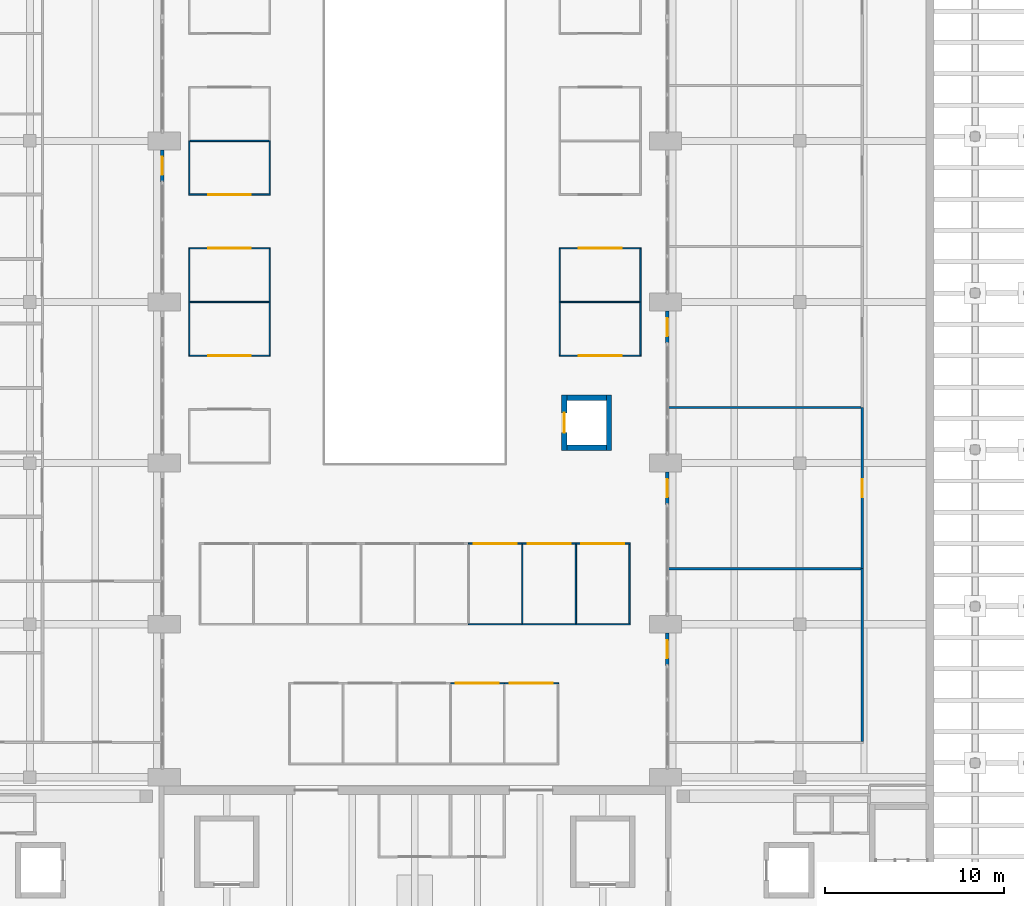
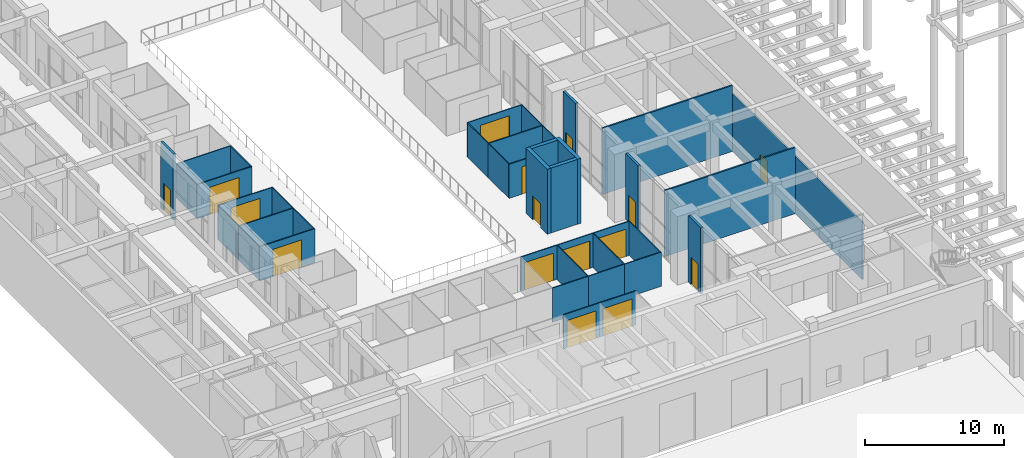
# One storey, part 32 of 51: 41 walls, 16 doors, 16 openings.
"""IFC4 building model written with IfcOpenShell, lengths in metres."""

from ifc_helpers import new_model, si_unit, direction, frame, frame_2d, origin, place, context, subcontext, project, spatial, rectangle, extrude, material, layer, layer_set, type_object, element, fill, save


model = new_model("IFC4")

# Units and contexts
model_context = context("Model", 3, precision=1e-05, world=origin(), true_north=direction((0.0, 1.0)))
body_context = subcontext(model_context, "Body", "Model", "MODEL_VIEW")
ifc_project = project(units=[si_unit("LENGTHUNIT", "METRE"), si_unit("AREAUNIT", "SQUARE_METRE"), si_unit("VOLUMEUNIT", "CUBIC_METRE"), si_unit("PLANEANGLEUNIT", "RADIAN"), si_unit("MASSUNIT", "GRAM", prefix="KILO")], contexts=[model_context])

# Site, building, storey
site_placement = place(None, origin())
site = spatial("IfcSite", under=ifc_project, at=site_placement, CompositionType="ELEMENT")
building_placement = place(site_placement, origin())
building = spatial("IfcBuilding", under=site, at=building_placement, Name="Elmora Arch Market Hall", CompositionType="ELEMENT")
storey_placement = place(building_placement, origin())
storey = spatial("IfcBuildingStorey", under=building, at=storey_placement, Name="L00", CompositionType="ELEMENT", Elevation=0.0)

# Wall, opening, door
ifc_material_1 = material(Name="Concrete C40/50", Category="concrete")
ifc_layer_1 = layer(ifc_material_1, 0.199951171875)
ifc_layer_set_1 = layer_set([ifc_layer_1], Name="Concrete C40/50")
wall_type_1 = type_object("IfcWallType", Name="Concrete shopfront pier 200", PredefinedType="PARTITIONING", material=ifc_layer_set_1)
wall_1_placement = place(storey_placement, frame((14.89990234375, 62.5, 0.0), z_axis=(0.0, 0.0, 1.0), x_axis=(0.0, -1.0, 0.0)))
wall_1 = element("IfcWall", 1, at=wall_1_placement, inside=storey, type_object=wall_type_1, Name="Shopfront pier W 4", PredefinedType="PARTITIONING", context=body_context, shape_type="SweptSolid", body=[
    extrude(rectangle(XDim=1.800048828125, YDim=0.199951171875, at=frame_2d((0.89990234375, 0.0))), origin(), (0.0, 0.0, 1.0), 5.800048828125),
])
opening_1_placement = place(wall_1_placement, frame((0.39990234375, 0.0, 0.0)))
opening_1 = element("IfcOpeningElement", 2, at=opening_1_placement, cuts=wall_1, Name="Opening SD-W04", PredefinedType="OPENING", context=body_context, shape_type="SweptSolid", body=[
    extrude(rectangle(XDim=1.0, YDim=2.39990234375, at=frame_2d((0.5, 1.199951171875))), frame((0.0, 0.10986328125, 0.0), z_axis=(0.0, -1.0, 0.0), x_axis=(1.0, 0.0, 0.0)), (0.0, 0.0, 1.0), 0.219970703125),
])
ifc_material_2 = material(Name="Glazed aluminium", Category="aluminium")
door_type_1 = type_object("IfcDoorType", Name="Shop door 1000x2400", OperationType="SINGLE_SWING_LEFT", PredefinedType="DOOR", material=ifc_material_2)
door_1_placement = place(opening_1_placement, frame((1.0, 0.0, 0.0), z_axis=(0.0, 0.0, 1.0), x_axis=(-1.0, 0.0, 0.0)))
door_1 = element("IfcDoor", 3, at=door_1_placement, inside=storey, type_object=door_type_1, Name="Shop door W04", OperationType="SINGLE_SWING_RIGHT", OverallHeight=2.39990234375, OverallWidth=1.0, PredefinedType="DOOR", context=body_context, shape_type="SweptSolid", body=[
    extrude(rectangle(XDim=1.0, YDim=2.39990234375, at=frame_2d((0.5, 1.199951171875))), frame((0.0, 0.02490234375, 0.0), z_axis=(0.0, -1.0, 0.0), x_axis=(1.0, 0.0, 0.0)), (0.0, 0.0, 1.0), 0.050048828125),
])
fill(opening_1, door_1)

wall_2_placement = place(storey_placement, frame((43.10009765625, 33.699951171875, 0.0), z_axis=(0.0, 0.0, 1.0), x_axis=(0.0, 1.0, 0.0)))
wall_2 = element("IfcWall", 4, at=wall_2_placement, inside=storey, type_object=wall_type_1, Name="Shopfront pier E 1", PredefinedType="PARTITIONING", context=body_context, shape_type="SweptSolid", body=[
    extrude(rectangle(XDim=1.800048828125, YDim=0.199951171875, at=frame_2d((0.89990234375, 0.0))), origin(), (0.0, 0.0, 1.0), 5.800048828125),
])
opening_2_placement = place(wall_2_placement, frame((0.39990234375, 0.0, 0.0)))
opening_2 = element("IfcOpeningElement", 5, at=opening_2_placement, cuts=wall_2, Name="Opening SD-E01", PredefinedType="OPENING", context=body_context, shape_type="SweptSolid", body=[
    extrude(rectangle(XDim=1.0, YDim=2.39990234375, at=frame_2d((0.5, 1.199951171875))), frame((0.0, 0.10986328125, 0.0), z_axis=(0.0, -1.0, 0.0), x_axis=(1.0, 0.0, 0.0)), (0.0, 0.0, 1.0), 0.219970703125),
])
door_2_placement = place(opening_2_placement, frame((1.0, 0.0, 0.0), z_axis=(0.0, 0.0, 1.0), x_axis=(-1.0, 0.0, 0.0)))
door_2 = element("IfcDoor", 6, at=door_2_placement, inside=storey, type_object=door_type_1, Name="Shop door E01", OperationType="SINGLE_SWING_LEFT", OverallHeight=2.39990234375, OverallWidth=1.0, PredefinedType="DOOR", context=body_context, shape_type="SweptSolid", body=[
    extrude(rectangle(XDim=1.0, YDim=2.39990234375, at=frame_2d((0.5, 1.199951171875))), frame((0.0, 0.02490234375, 0.0), z_axis=(0.0, -1.0, 0.0), x_axis=(1.0, 0.0, 0.0)), (0.0, 0.0, 1.0), 0.050048828125),
])
fill(opening_2, door_2)

wall_3_placement = place(storey_placement, frame((43.10009765625, 42.699951171875, 0.0), z_axis=(0.0, 0.0, 1.0), x_axis=(0.0, 1.0, 0.0)))
wall_3 = element("IfcWall", 7, at=wall_3_placement, inside=storey, type_object=wall_type_1, Name="Shopfront pier E 2", PredefinedType="PARTITIONING", context=body_context, shape_type="SweptSolid", body=[
    extrude(rectangle(XDim=1.800048828125, YDim=0.199951171875, at=frame_2d((0.89990234375, 0.0))), origin(), (0.0, 0.0, 1.0), 5.800048828125),
])
opening_3_placement = place(wall_3_placement, frame((0.39990234375, 0.0, 0.0)))
opening_3 = element("IfcOpeningElement", 8, at=opening_3_placement, cuts=wall_3, Name="Opening SD-E02", PredefinedType="OPENING", context=body_context, shape_type="SweptSolid", body=[
    extrude(rectangle(XDim=1.0, YDim=2.39990234375, at=frame_2d((0.5, 1.199951171875))), frame((0.0, 0.10986328125, 0.0), z_axis=(0.0, -1.0, 0.0), x_axis=(1.0, 0.0, 0.0)), (0.0, 0.0, 1.0), 0.219970703125),
])
door_3_placement = place(opening_3_placement, frame((1.0, 0.0, 0.0), z_axis=(0.0, 0.0, 1.0), x_axis=(-1.0, 0.0, 0.0)))
door_3 = element("IfcDoor", 9, at=door_3_placement, inside=storey, type_object=door_type_1, Name="Shop door E02", OperationType="SINGLE_SWING_LEFT", OverallHeight=2.39990234375, OverallWidth=1.0, PredefinedType="DOOR", context=body_context, shape_type="SweptSolid", body=[
    extrude(rectangle(XDim=1.0, YDim=2.39990234375, at=frame_2d((0.5, 1.199951171875))), frame((0.0, 0.02490234375, 0.0), z_axis=(0.0, -1.0, 0.0), x_axis=(1.0, 0.0, 0.0)), (0.0, 0.0, 1.0), 0.050048828125),
])
fill(opening_3, door_3)

wall_4_placement = place(storey_placement, frame((43.10009765625, 51.699951171875, 0.0), z_axis=(0.0, 0.0, 1.0), x_axis=(0.0, 1.0, 0.0)))
wall_4 = element("IfcWall", 10, at=wall_4_placement, inside=storey, type_object=wall_type_1, Name="Shopfront pier E 3", PredefinedType="PARTITIONING", context=body_context, shape_type="SweptSolid", body=[
    extrude(rectangle(XDim=1.800048828125, YDim=0.199951171875, at=frame_2d((0.89990234375, 0.0))), origin(), (0.0, 0.0, 1.0), 5.800048828125),
])
opening_4_placement = place(wall_4_placement, frame((0.39990234375, 0.0, 0.0)))
opening_4 = element("IfcOpeningElement", 11, at=opening_4_placement, cuts=wall_4, Name="Opening SD-E03", PredefinedType="OPENING", context=body_context, shape_type="SweptSolid", body=[
    extrude(rectangle(XDim=1.0, YDim=2.39990234375, at=frame_2d((0.5, 1.199951171875))), frame((0.0, 0.10986328125, 0.0), z_axis=(0.0, -1.0, 0.0), x_axis=(1.0, 0.0, 0.0)), (0.0, 0.0, 1.0), 0.219970703125),
])
door_4_placement = place(opening_4_placement, frame((1.0, 0.0, 0.0), z_axis=(0.0, 0.0, 1.0), x_axis=(-1.0, 0.0, 0.0)))
door_4 = element("IfcDoor", 12, at=door_4_placement, inside=storey, type_object=door_type_1, Name="Shop door E03", OperationType="SINGLE_SWING_LEFT", OverallHeight=2.39990234375, OverallWidth=1.0, PredefinedType="DOOR", context=body_context, shape_type="SweptSolid", body=[
    extrude(rectangle(XDim=1.0, YDim=2.39990234375, at=frame_2d((0.5, 1.199951171875))), frame((0.0, 0.02490234375, 0.0), z_axis=(0.0, -1.0, 0.0), x_axis=(1.0, 0.0, 0.0)), (0.0, 0.0, 1.0), 0.050048828125),
])
fill(opening_4, door_4)

ifc_material_3 = material(Name="Concrete C40/50", Category="concrete")
ifc_layer_2 = layer(ifc_material_3, 0.300048828125)
ifc_layer_set_2 = layer_set([ifc_layer_2], Name="Concrete C40/50")
wall_type_2 = type_object("IfcWallType", Name="Lift shaft wall 300", PredefinedType="SHEAR", material=ifc_layer_set_2)
wall_5_placement = place(storey_placement, frame((37.35009765625, 45.699951171875, 0.0), z_axis=(0.0, 0.0, 1.0), x_axis=(0.0, 1.0, 0.0)))
wall_5 = element("IfcWall", 13, at=wall_5_placement, inside=storey, type_object=wall_type_2, Name="Lift shaft wall ML1 W L00", PredefinedType="SHEAR", context=body_context, shape_type="SweptSolid", body=[
    extrude(rectangle(XDim=3.10009765625, YDim=0.300048828125, at=frame_2d((1.550048828125, 0.0))), origin(), (0.0, 0.0, 1.0), 5.699951171875),
])
opening_5_placement = place(wall_5_placement, frame((1.0, 0.0, 0.0)))
opening_5 = element("IfcOpeningElement", 14, at=opening_5_placement, cuts=wall_5, Name="Opening LD-ML1-L00", PredefinedType="OPENING", context=body_context, shape_type="SweptSolid", body=[
    extrude(rectangle(XDim=1.10009765625, YDim=2.10009765625, at=frame_2d((0.550048828125, 1.050048828125))), frame((0.0, 0.159912109375, 0.0), z_axis=(0.0, -1.0, 0.0), x_axis=(1.0, 0.0, 0.0)), (0.0, 0.0, 1.0), 0.320068359375),
])
ifc_material_4 = material(Name="Stainless steel ASTM A240 Type 304", Category="steel")
door_type_2 = type_object("IfcDoorType", Name="Lift landing door 1100 x 2100 FD90", OperationType="SLIDING_TO_LEFT", PredefinedType="DOOR", material=ifc_material_4)
door_5_placement = place(opening_5_placement, origin())
door_5 = element("IfcDoor", 15, at=door_5_placement, inside=storey, type_object=door_type_2, Name="Landing door ML1 L00", OperationType="SLIDING_TO_LEFT", OverallHeight=2.10009765625, OverallWidth=1.10009765625, PredefinedType="DOOR", context=body_context, shape_type="SweptSolid", body=[
    extrude(rectangle(XDim=1.10009765625, YDim=2.10009765625, at=frame_2d((0.550048828125, 1.050048828125))), frame((0.0, 0.02490234375, 0.0), z_axis=(0.0, -1.0, 0.0), x_axis=(1.0, 0.0, 0.0)), (0.0, 0.0, 1.0), 0.050048828125),
])
fill(opening_5, door_5)

# Walls
wall_6_placement = place(storey_placement, frame((39.85009765625, 45.699951171875, 0.0), z_axis=(0.0, 0.0, 1.0), x_axis=(0.0, 1.0, 0.0)))
element("IfcWall", 16, at=wall_6_placement, inside=storey, type_object=wall_type_2, Name="Lift shaft wall ML1 E L00", PredefinedType="SHEAR", context=body_context, shape_type="SweptSolid", body=[
    extrude(rectangle(XDim=3.10009765625, YDim=0.300048828125, at=frame_2d((1.550048828125, 0.0))), origin(), (0.0, 0.0, 1.0), 5.699951171875),
])
for number, where, z_axis, x_axis, name in (
    (17, (37.5, 45.85009765625, 0.0), (0.0, 0.0, 1.0), (1.0, 0.0, 0.0), "Lift shaft wall ML1 S L00"),
    (18, (37.5, 48.64990234375, 0.0), (0.0, 0.0, 1.0), (1.0, 0.0, 0.0), "Lift shaft wall ML1 N L00"),
):
    element("IfcWall", number, at=place(storey_placement, frame(where, z_axis=z_axis, x_axis=x_axis)), inside=storey, type_object=wall_type_2, Name=name, PredefinedType="SHEAR", context=body_context, shape_type="SweptSolid", body=[
        extrude(rectangle(XDim=2.199951171875, YDim=0.300048828125, at=frame_2d((1.10009765625, 0.0))), origin(), (0.0, 0.0, 1.0), 5.699951171875),
    ])
ifc_material_5 = material(Name="Gypsum board on metal studs")
ifc_layer_3 = layer(ifc_material_5, 0.125)
ifc_layer_set_3 = layer_set([ifc_layer_3], Name="Gypsum board on metal studs")
wall_type_3 = type_object("IfcWallType", Name="Partition 125 EI 60", PredefinedType="PARTITIONING", material=ifc_layer_set_3)
for number, where, z_axis, x_axis, name in (
    (19, (43.10009765625, 39.10009765625, 0.0), (0.0, 0.0, 1.0), (1.0, 0.0, 0.0), "Partition PT-L00-029"),
    (20, (43.10009765625, 48.10009765625, 0.0), (0.0, 0.0, 1.0), (1.0, 0.0, 0.0), "Partition PT-L00-043"),
):
    element("IfcWall", number, at=place(storey_placement, frame(where, z_axis=z_axis, x_axis=x_axis)), inside=storey, type_object=wall_type_3, Name=name, PredefinedType="PARTITIONING", context=body_context, shape_type="SweptSolid", body=[
        extrude(rectangle(XDim=10.83740234375, YDim=0.125, at=frame_2d((5.418701171875, 0.0))), origin(), (0.0, 0.0, 1.0), 5.800048828125),
    ])
wall_7_placement = place(storey_placement, frame((54.0, 29.46240234375, 0.0), z_axis=(0.0, 0.0, 1.0), x_axis=(0.0, 1.0, 0.0)))
element("IfcWall", 21, at=wall_7_placement, inside=storey, type_object=wall_type_3, Name="Partition PT-L00-235", PredefinedType="PARTITIONING", context=body_context, shape_type="SweptSolid", body=[
    extrude(rectangle(XDim=9.6376953125, YDim=0.125, at=frame_2d((4.81884765625, 0.0))), origin(), (0.0, 0.0, 1.0), 5.050048828125),
])

# Wall, opening, door
wall_8_placement = place(storey_placement, frame((54.0, 39.10009765625, 0.0), z_axis=(0.0, 0.0, 1.0), x_axis=(0.0, 1.0, 0.0)))
wall_8 = element("IfcWall", 22, at=wall_8_placement, inside=storey, type_object=wall_type_3, Name="Partition PT-L00-236", PredefinedType="PARTITIONING", context=body_context, shape_type="SweptSolid", body=[
    extrude(rectangle(XDim=9.0, YDim=0.125, at=frame_2d((4.5, 0.0))), origin(), (0.0, 0.0, 1.0), 5.050048828125),
])
opening_6_placement = place(wall_8_placement, frame((4.0, 0.0, 0.0)))
opening_6 = element("IfcOpeningElement", 23, at=opening_6_placement, cuts=wall_8, Name="Opening D-L00-029", PredefinedType="OPENING", context=body_context, shape_type="SweptSolid", body=[
    extrude(rectangle(XDim=1.0, YDim=2.10009765625, at=frame_2d((0.5, 1.050048828125))), frame((0.0, 0.072509765625, 0.0), z_axis=(0.0, -1.0, 0.0), x_axis=(1.0, 0.0, 0.0)), (0.0, 0.0, 1.0), 0.14501953125),
])
ifc_material_6 = material(Name="Steel ASTM A653 galvanised", Category="steel")
door_type_3 = type_object("IfcDoorType", Name="Door 1000 x 2100 FD45", OperationType="SINGLE_SWING_LEFT", PredefinedType="DOOR", material=ifc_material_6)
door_6_placement = place(opening_6_placement, origin())
door_6 = element("IfcDoor", 24, at=door_6_placement, inside=storey, type_object=door_type_3, Name="D-L00-029", OperationType="SINGLE_SWING_LEFT", OverallHeight=2.10009765625, OverallWidth=1.0, PredefinedType="DOOR", context=body_context, shape_type="SweptSolid", body=[
    extrude(rectangle(XDim=1.0, YDim=2.10009765625, at=frame_2d((0.5, 1.050048828125))), frame((0.0, 0.02490234375, 0.0), z_axis=(0.0, -1.0, 0.0), x_axis=(1.0, 0.0, 0.0)), (0.0, 0.0, 1.0), 0.050048828125),
])
fill(opening_6, door_6)

ifc_material_7 = material(Name="Gypsum board on metal studs")
ifc_layer_4 = layer(ifc_material_7, 0.074951171875)
ifc_layer_set_4 = layer_set([ifc_layer_4], Name="Gypsum board on metal studs")
wall_type_4 = type_object("IfcWallType", Name="Stall partition 75 (3.0 m)", PredefinedType="PARTITIONING", material=ifc_layer_set_4)
wall_9_placement = place(storey_placement, frame((31.0, 32.699951171875, 0.0), z_axis=(0.0, 0.0, 1.0), x_axis=(1.0, 0.0, 0.0)))
wall_9 = element("IfcWall", 25, at=wall_9_placement, inside=storey, type_object=wall_type_4, Name="Partition PT-L00-016", PredefinedType="PARTITIONING", context=body_context, shape_type="SweptSolid", body=[
    extrude(rectangle(XDim=3.0, YDim=0.074951171875, at=frame_2d((1.5, 0.0))), origin(), (0.0, 0.0, 1.0), 3.0),
])
opening_7_placement = place(wall_9_placement, frame((0.300048828125, 0.0, 0.0)))
opening_7 = element("IfcOpeningElement", 26, at=opening_7_placement, cuts=wall_9, Name="Opening D-L00-015", PredefinedType="OPENING", context=body_context, shape_type="SweptSolid", body=[
    extrude(rectangle(XDim=2.39990234375, YDim=2.39990234375, at=frame_2d((1.199951171875, 1.199951171875))), frame((0.0, 0.04736328125, 0.0), z_axis=(0.0, -1.0, 0.0), x_axis=(1.0, 0.0, 0.0)), (0.0, 0.0, 1.0), 0.094970703125),
])
ifc_material_8 = material(Name="Aluminium roller shutter", Category="aluminium")
door_type_4 = type_object("IfcDoorType", Name="Roller shutter 2400 x 2400", OperationType="ROLLINGUP", PredefinedType="DOOR", material=ifc_material_8)
door_7_placement = place(opening_7_placement, origin())
door_7 = element("IfcDoor", 27, at=door_7_placement, inside=storey, type_object=door_type_4, Name="D-L00-015", OperationType="ROLLINGUP", OverallHeight=2.39990234375, OverallWidth=2.39990234375, PredefinedType="DOOR", context=body_context, shape_type="SweptSolid", body=[
    extrude(rectangle(XDim=2.39990234375, YDim=2.39990234375, at=frame_2d((1.199951171875, 1.199951171875))), frame((0.0, 0.02490234375, 0.0), z_axis=(0.0, -1.0, 0.0), x_axis=(1.0, 0.0, 0.0)), (0.0, 0.0, 1.0), 0.050048828125),
])
fill(opening_7, door_7)

wall_10_placement = place(storey_placement, frame((34.0, 32.699951171875, 0.0), z_axis=(0.0, 0.0, 1.0), x_axis=(1.0, 0.0, 0.0)))
wall_10 = element("IfcWall", 28, at=wall_10_placement, inside=storey, type_object=wall_type_4, Name="Partition PT-L00-017", PredefinedType="PARTITIONING", context=body_context, shape_type="SweptSolid", body=[
    extrude(rectangle(XDim=3.03759765625, YDim=0.074951171875, at=frame_2d((1.518798828125, 0.0))), origin(), (0.0, 0.0, 1.0), 3.0),
])
opening_8_placement = place(wall_10_placement, frame((0.300048828125, 0.0, 0.0)))
opening_8 = element("IfcOpeningElement", 29, at=opening_8_placement, cuts=wall_10, Name="Opening D-L00-016", PredefinedType="OPENING", context=body_context, shape_type="SweptSolid", body=[
    extrude(rectangle(XDim=2.39990234375, YDim=2.39990234375, at=frame_2d((1.199951171875, 1.199951171875))), frame((0.0, 0.04736328125, 0.0), z_axis=(0.0, -1.0, 0.0), x_axis=(1.0, 0.0, 0.0)), (0.0, 0.0, 1.0), 0.094970703125),
])
door_8_placement = place(opening_8_placement, origin())
door_8 = element("IfcDoor", 30, at=door_8_placement, inside=storey, type_object=door_type_4, Name="D-L00-016", OperationType="ROLLINGUP", OverallHeight=2.39990234375, OverallWidth=2.39990234375, PredefinedType="DOOR", context=body_context, shape_type="SweptSolid", body=[
    extrude(rectangle(XDim=2.39990234375, YDim=2.39990234375, at=frame_2d((1.199951171875, 1.199951171875))), frame((0.0, 0.02490234375, 0.0), z_axis=(0.0, -1.0, 0.0), x_axis=(1.0, 0.0, 0.0)), (0.0, 0.0, 1.0), 0.050048828125),
])
fill(opening_8, door_8)

# Walls
for number, where, z_axis, x_axis, name in (
    (31, (32.0, 36.0, 0.0), (0.0, 0.0, 1.0), (1.0, 0.0, 0.0), "Partition PT-L00-024"),
    (32, (35.0, 36.0, 0.0), (0.0, 0.0, 1.0), (1.0, 0.0, 0.0), "Partition PT-L00-025"),
):
    element("IfcWall", number, at=place(storey_placement, frame(where, z_axis=z_axis, x_axis=x_axis)), inside=storey, type_object=wall_type_4, Name=name, PredefinedType="PARTITIONING", context=body_context, shape_type="SweptSolid", body=[
        extrude(rectangle(XDim=3.0, YDim=0.074951171875, at=frame_2d((1.5, 0.0))), origin(), (0.0, 0.0, 1.0), 3.0),
    ])
wall_11_placement = place(storey_placement, frame((38.0, 36.0, 0.0), z_axis=(0.0, 0.0, 1.0), x_axis=(1.0, 0.0, 0.0)))
element("IfcWall", 33, at=wall_11_placement, inside=storey, type_object=wall_type_4, Name="Partition PT-L00-026", PredefinedType="PARTITIONING", context=body_context, shape_type="SweptSolid", body=[
    extrude(rectangle(XDim=3.03759765625, YDim=0.074951171875, at=frame_2d((1.518798828125, 0.0))), origin(), (0.0, 0.0, 1.0), 3.0),
])

# Wall, opening, door
wall_12_placement = place(storey_placement, frame((32.0, 40.5, 0.0), z_axis=(0.0, 0.0, 1.0), x_axis=(1.0, 0.0, 0.0)))
wall_12 = element("IfcWall", 34, at=wall_12_placement, inside=storey, type_object=wall_type_4, Name="Partition PT-L00-035", PredefinedType="PARTITIONING", context=body_context, shape_type="SweptSolid", body=[
    extrude(rectangle(XDim=3.0, YDim=0.074951171875, at=frame_2d((1.5, 0.0))), origin(), (0.0, 0.0, 1.0), 3.0),
])
opening_9_placement = place(wall_12_placement, frame((0.300048828125, 0.0, 0.0)))
opening_9 = element("IfcOpeningElement", 35, at=opening_9_placement, cuts=wall_12, Name="Opening D-L00-026", PredefinedType="OPENING", context=body_context, shape_type="SweptSolid", body=[
    extrude(rectangle(XDim=2.39990234375, YDim=2.39990234375, at=frame_2d((1.199951171875, 1.199951171875))), frame((0.0, 0.04736328125, 0.0), z_axis=(0.0, -1.0, 0.0), x_axis=(1.0, 0.0, 0.0)), (0.0, 0.0, 1.0), 0.094970703125),
])
door_9_placement = place(opening_9_placement, origin())
door_9 = element("IfcDoor", 36, at=door_9_placement, inside=storey, type_object=door_type_4, Name="D-L00-026", OperationType="ROLLINGUP", OverallHeight=2.39990234375, OverallWidth=2.39990234375, PredefinedType="DOOR", context=body_context, shape_type="SweptSolid", body=[
    extrude(rectangle(XDim=2.39990234375, YDim=2.39990234375, at=frame_2d((1.199951171875, 1.199951171875))), frame((0.0, 0.02490234375, 0.0), z_axis=(0.0, -1.0, 0.0), x_axis=(1.0, 0.0, 0.0)), (0.0, 0.0, 1.0), 0.050048828125),
])
fill(opening_9, door_9)

wall_13_placement = place(storey_placement, frame((35.0, 40.5, 0.0), z_axis=(0.0, 0.0, 1.0), x_axis=(1.0, 0.0, 0.0)))
wall_13 = element("IfcWall", 37, at=wall_13_placement, inside=storey, type_object=wall_type_4, Name="Partition PT-L00-036", PredefinedType="PARTITIONING", context=body_context, shape_type="SweptSolid", body=[
    extrude(rectangle(XDim=3.0, YDim=0.074951171875, at=frame_2d((1.5, 0.0))), origin(), (0.0, 0.0, 1.0), 3.0),
])
opening_10_placement = place(wall_13_placement, frame((0.300048828125, 0.0, 0.0)))
opening_10 = element("IfcOpeningElement", 38, at=opening_10_placement, cuts=wall_13, Name="Opening D-L00-027", PredefinedType="OPENING", context=body_context, shape_type="SweptSolid", body=[
    extrude(rectangle(XDim=2.39990234375, YDim=2.39990234375, at=frame_2d((1.199951171875, 1.199951171875))), frame((0.0, 0.04736328125, 0.0), z_axis=(0.0, -1.0, 0.0), x_axis=(1.0, 0.0, 0.0)), (0.0, 0.0, 1.0), 0.094970703125),
])
door_10_placement = place(opening_10_placement, origin())
door_10 = element("IfcDoor", 39, at=door_10_placement, inside=storey, type_object=door_type_4, Name="D-L00-027", OperationType="ROLLINGUP", OverallHeight=2.39990234375, OverallWidth=2.39990234375, PredefinedType="DOOR", context=body_context, shape_type="SweptSolid", body=[
    extrude(rectangle(XDim=2.39990234375, YDim=2.39990234375, at=frame_2d((1.199951171875, 1.199951171875))), frame((0.0, 0.02490234375, 0.0), z_axis=(0.0, -1.0, 0.0), x_axis=(1.0, 0.0, 0.0)), (0.0, 0.0, 1.0), 0.050048828125),
])
fill(opening_10, door_10)

wall_14_placement = place(storey_placement, frame((38.0, 40.5, 0.0), z_axis=(0.0, 0.0, 1.0), x_axis=(1.0, 0.0, 0.0)))
wall_14 = element("IfcWall", 40, at=wall_14_placement, inside=storey, type_object=wall_type_4, Name="Partition PT-L00-037", PredefinedType="PARTITIONING", context=body_context, shape_type="SweptSolid", body=[
    extrude(rectangle(XDim=3.03759765625, YDim=0.074951171875, at=frame_2d((1.518798828125, 0.0))), origin(), (0.0, 0.0, 1.0), 3.0),
])
opening_11_placement = place(wall_14_placement, frame((0.300048828125, 0.0, 0.0)))
opening_11 = element("IfcOpeningElement", 41, at=opening_11_placement, cuts=wall_14, Name="Opening D-L00-028", PredefinedType="OPENING", context=body_context, shape_type="SweptSolid", body=[
    extrude(rectangle(XDim=2.39990234375, YDim=2.39990234375, at=frame_2d((1.199951171875, 1.199951171875))), frame((0.0, 0.04736328125, 0.0), z_axis=(0.0, -1.0, 0.0), x_axis=(1.0, 0.0, 0.0)), (0.0, 0.0, 1.0), 0.094970703125),
])
door_11_placement = place(opening_11_placement, origin())
door_11 = element("IfcDoor", 42, at=door_11_placement, inside=storey, type_object=door_type_4, Name="D-L00-028", OperationType="ROLLINGUP", OverallHeight=2.39990234375, OverallWidth=2.39990234375, PredefinedType="DOOR", context=body_context, shape_type="SweptSolid", body=[
    extrude(rectangle(XDim=2.39990234375, YDim=2.39990234375, at=frame_2d((1.199951171875, 1.199951171875))), frame((0.0, 0.02490234375, 0.0), z_axis=(0.0, -1.0, 0.0), x_axis=(1.0, 0.0, 0.0)), (0.0, 0.0, 1.0), 0.050048828125),
])
fill(opening_11, door_11)

wall_15_placement = place(storey_placement, frame((16.362548828125, 51.0, 0.0), z_axis=(0.0, 0.0, 1.0), x_axis=(1.0, 0.0, 0.0)))
wall_15 = element("IfcWall", 43, at=wall_15_placement, inside=storey, type_object=wall_type_4, Name="Partition PT-L00-045", PredefinedType="PARTITIONING", context=body_context, shape_type="SweptSolid", body=[
    extrude(rectangle(XDim=4.574951171875, YDim=0.074951171875, at=frame_2d((2.28759765625, 0.0))), origin(), (0.0, 0.0, 1.0), 3.0),
])
opening_12_placement = place(wall_15_placement, frame((1.08740234375, 0.0, 0.0)))
opening_12 = element("IfcOpeningElement", 44, at=opening_12_placement, cuts=wall_15, Name="Opening D-L00-037", PredefinedType="OPENING", context=body_context, shape_type="SweptSolid", body=[
    extrude(rectangle(XDim=2.39990234375, YDim=2.39990234375, at=frame_2d((1.199951171875, 1.199951171875))), frame((0.0, 0.04736328125, 0.0), z_axis=(0.0, -1.0, 0.0), x_axis=(1.0, 0.0, 0.0)), (0.0, 0.0, 1.0), 0.094970703125),
])
door_12_placement = place(opening_12_placement, origin())
door_12 = element("IfcDoor", 45, at=door_12_placement, inside=storey, type_object=door_type_4, Name="D-L00-037", OperationType="ROLLINGUP", OverallHeight=2.39990234375, OverallWidth=2.39990234375, PredefinedType="DOOR", context=body_context, shape_type="SweptSolid", body=[
    extrude(rectangle(XDim=2.39990234375, YDim=2.39990234375, at=frame_2d((1.199951171875, 1.199951171875))), frame((0.0, 0.02490234375, 0.0), z_axis=(0.0, -1.0, 0.0), x_axis=(1.0, 0.0, 0.0)), (0.0, 0.0, 1.0), 0.050048828125),
])
fill(opening_12, door_12)

wall_16_placement = place(storey_placement, frame((37.0625, 51.0, 0.0), z_axis=(0.0, 0.0, 1.0), x_axis=(1.0, 0.0, 0.0)))
wall_16 = element("IfcWall", 46, at=wall_16_placement, inside=storey, type_object=wall_type_4, Name="Partition PT-L00-046", PredefinedType="PARTITIONING", context=body_context, shape_type="SweptSolid", body=[
    extrude(rectangle(XDim=4.574951171875, YDim=0.074951171875, at=frame_2d((2.28759765625, 0.0))), origin(), (0.0, 0.0, 1.0), 3.0),
])
opening_13_placement = place(wall_16_placement, frame((1.08740234375, 0.0, 0.0)))
opening_13 = element("IfcOpeningElement", 47, at=opening_13_placement, cuts=wall_16, Name="Opening D-L00-038", PredefinedType="OPENING", context=body_context, shape_type="SweptSolid", body=[
    extrude(rectangle(XDim=2.39990234375, YDim=2.39990234375, at=frame_2d((1.199951171875, 1.199951171875))), frame((0.0, 0.04736328125, 0.0), z_axis=(0.0, -1.0, 0.0), x_axis=(1.0, 0.0, 0.0)), (0.0, 0.0, 1.0), 0.094970703125),
])
door_13_placement = place(opening_13_placement, origin())
door_13 = element("IfcDoor", 48, at=door_13_placement, inside=storey, type_object=door_type_4, Name="D-L00-038", OperationType="ROLLINGUP", OverallHeight=2.39990234375, OverallWidth=2.39990234375, PredefinedType="DOOR", context=body_context, shape_type="SweptSolid", body=[
    extrude(rectangle(XDim=2.39990234375, YDim=2.39990234375, at=frame_2d((1.199951171875, 1.199951171875))), frame((0.0, 0.02490234375, 0.0), z_axis=(0.0, -1.0, 0.0), x_axis=(1.0, 0.0, 0.0)), (0.0, 0.0, 1.0), 0.050048828125),
])
fill(opening_13, door_13)

# Walls
for number, where, z_axis, x_axis, name in (
    (49, (16.4375, 54.0, 0.0), (0.0, 0.0, 1.0), (1.0, 0.0, 0.0), "Partition PT-L00-048"),
    (50, (37.137451171875, 54.0, 0.0), (0.0, 0.0, 1.0), (1.0, 0.0, 0.0), "Partition PT-L00-049"),
):
    element("IfcWall", number, at=place(storey_placement, frame(where, z_axis=z_axis, x_axis=x_axis)), inside=storey, type_object=wall_type_4, Name=name, PredefinedType="PARTITIONING", context=body_context, shape_type="SweptSolid", body=[
        extrude(rectangle(XDim=4.425048828125, YDim=0.074951171875, at=frame_2d((2.21240234375, 0.0))), origin(), (0.0, 0.0, 1.0), 3.0),
    ])

# Wall, opening, door
wall_17_placement = place(storey_placement, frame((16.362548828125, 57.0, 0.0), z_axis=(0.0, 0.0, 1.0), x_axis=(1.0, 0.0, 0.0)))
wall_17 = element("IfcWall", 51, at=wall_17_placement, inside=storey, type_object=wall_type_4, Name="Partition PT-L00-051", PredefinedType="PARTITIONING", context=body_context, shape_type="SweptSolid", body=[
    extrude(rectangle(XDim=4.574951171875, YDim=0.074951171875, at=frame_2d((2.28759765625, 0.0))), origin(), (0.0, 0.0, 1.0), 3.0),
])
opening_14_placement = place(wall_17_placement, frame((1.08740234375, 0.0, 0.0)))
opening_14 = element("IfcOpeningElement", 52, at=opening_14_placement, cuts=wall_17, Name="Opening D-L00-042", PredefinedType="OPENING", context=body_context, shape_type="SweptSolid", body=[
    extrude(rectangle(XDim=2.39990234375, YDim=2.39990234375, at=frame_2d((1.199951171875, 1.199951171875))), frame((0.0, 0.04736328125, 0.0), z_axis=(0.0, -1.0, 0.0), x_axis=(1.0, 0.0, 0.0)), (0.0, 0.0, 1.0), 0.094970703125),
])
door_14_placement = place(opening_14_placement, origin())
door_14 = element("IfcDoor", 53, at=door_14_placement, inside=storey, type_object=door_type_4, Name="D-L00-042", OperationType="ROLLINGUP", OverallHeight=2.39990234375, OverallWidth=2.39990234375, PredefinedType="DOOR", context=body_context, shape_type="SweptSolid", body=[
    extrude(rectangle(XDim=2.39990234375, YDim=2.39990234375, at=frame_2d((1.199951171875, 1.199951171875))), frame((0.0, 0.02490234375, 0.0), z_axis=(0.0, -1.0, 0.0), x_axis=(1.0, 0.0, 0.0)), (0.0, 0.0, 1.0), 0.050048828125),
])
fill(opening_14, door_14)

wall_18_placement = place(storey_placement, frame((37.0625, 57.0, 0.0), z_axis=(0.0, 0.0, 1.0), x_axis=(1.0, 0.0, 0.0)))
wall_18 = element("IfcWall", 54, at=wall_18_placement, inside=storey, type_object=wall_type_4, Name="Partition PT-L00-052", PredefinedType="PARTITIONING", context=body_context, shape_type="SweptSolid", body=[
    extrude(rectangle(XDim=4.574951171875, YDim=0.074951171875, at=frame_2d((2.28759765625, 0.0))), origin(), (0.0, 0.0, 1.0), 3.0),
])
opening_15_placement = place(wall_18_placement, frame((1.08740234375, 0.0, 0.0)))
opening_15 = element("IfcOpeningElement", 55, at=opening_15_placement, cuts=wall_18, Name="Opening D-L00-043", PredefinedType="OPENING", context=body_context, shape_type="SweptSolid", body=[
    extrude(rectangle(XDim=2.39990234375, YDim=2.39990234375, at=frame_2d((1.199951171875, 1.199951171875))), frame((0.0, 0.04736328125, 0.0), z_axis=(0.0, -1.0, 0.0), x_axis=(1.0, 0.0, 0.0)), (0.0, 0.0, 1.0), 0.094970703125),
])
door_15_placement = place(opening_15_placement, origin())
door_15 = element("IfcDoor", 56, at=door_15_placement, inside=storey, type_object=door_type_4, Name="D-L00-043", OperationType="ROLLINGUP", OverallHeight=2.39990234375, OverallWidth=2.39990234375, PredefinedType="DOOR", context=body_context, shape_type="SweptSolid", body=[
    extrude(rectangle(XDim=2.39990234375, YDim=2.39990234375, at=frame_2d((1.199951171875, 1.199951171875))), frame((0.0, 0.02490234375, 0.0), z_axis=(0.0, -1.0, 0.0), x_axis=(1.0, 0.0, 0.0)), (0.0, 0.0, 1.0), 0.050048828125),
])
fill(opening_15, door_15)

wall_19_placement = place(storey_placement, frame((16.362548828125, 60.0, 0.0), z_axis=(0.0, 0.0, 1.0), x_axis=(1.0, 0.0, 0.0)))
wall_19 = element("IfcWall", 57, at=wall_19_placement, inside=storey, type_object=wall_type_4, Name="Partition PT-L00-056", PredefinedType="PARTITIONING", context=body_context, shape_type="SweptSolid", body=[
    extrude(rectangle(XDim=4.574951171875, YDim=0.074951171875, at=frame_2d((2.28759765625, 0.0))), origin(), (0.0, 0.0, 1.0), 3.0),
])
opening_16_placement = place(wall_19_placement, frame((1.08740234375, 0.0, 0.0)))
opening_16 = element("IfcOpeningElement", 58, at=opening_16_placement, cuts=wall_19, Name="Opening D-L00-046", PredefinedType="OPENING", context=body_context, shape_type="SweptSolid", body=[
    extrude(rectangle(XDim=2.39990234375, YDim=2.39990234375, at=frame_2d((1.199951171875, 1.199951171875))), frame((0.0, 0.04736328125, 0.0), z_axis=(0.0, -1.0, 0.0), x_axis=(1.0, 0.0, 0.0)), (0.0, 0.0, 1.0), 0.094970703125),
])
door_16_placement = place(opening_16_placement, origin())
door_16 = element("IfcDoor", 59, at=door_16_placement, inside=storey, type_object=door_type_4, Name="D-L00-046", OperationType="ROLLINGUP", OverallHeight=2.39990234375, OverallWidth=2.39990234375, PredefinedType="DOOR", context=body_context, shape_type="SweptSolid", body=[
    extrude(rectangle(XDim=2.39990234375, YDim=2.39990234375, at=frame_2d((1.199951171875, 1.199951171875))), frame((0.0, 0.02490234375, 0.0), z_axis=(0.0, -1.0, 0.0), x_axis=(1.0, 0.0, 0.0)), (0.0, 0.0, 1.0), 0.050048828125),
])
fill(opening_16, door_16)

# Walls
wall_20_placement = place(storey_placement, frame((16.4375, 63.0, 0.0), z_axis=(0.0, 0.0, 1.0), x_axis=(1.0, 0.0, 0.0)))
element("IfcWall", 60, at=wall_20_placement, inside=storey, type_object=wall_type_4, Name="Partition PT-L00-058", PredefinedType="PARTITIONING", context=body_context, shape_type="SweptSolid", body=[
    extrude(rectangle(XDim=4.425048828125, YDim=0.074951171875, at=frame_2d((2.21240234375, 0.0))), origin(), (0.0, 0.0, 1.0), 3.0),
])
for number, where, z_axis, x_axis, name in (
    (61, (16.39990234375, 51.03759765625, 0.0), (0.0, 0.0, 1.0), (0.0, 1.0, 0.0), "Partition PT-L00-173"),
    (62, (16.39990234375, 54.0, 0.0), (0.0, 0.0, 1.0), (0.0, 1.0, 0.0), "Partition PT-L00-174"),
    (63, (16.39990234375, 60.03759765625, 0.0), (0.0, 0.0, 1.0), (0.0, 1.0, 0.0), "Partition PT-L00-175"),
    (64, (20.89990234375, 51.03759765625, 0.0), (0.0, 0.0, 1.0), (0.0, 1.0, 0.0), "Partition PT-L00-183"),
    (65, (20.89990234375, 54.0, 0.0), (0.0, 0.0, 1.0), (0.0, 1.0, 0.0), "Partition PT-L00-184"),
    (66, (20.89990234375, 60.03759765625, 0.0), (0.0, 0.0, 1.0), (0.0, 1.0, 0.0), "Partition PT-L00-185"),
):
    element("IfcWall", number, at=place(storey_placement, frame(where, z_axis=z_axis, x_axis=x_axis)), inside=storey, type_object=wall_type_4, Name=name, PredefinedType="PARTITIONING", context=body_context, shape_type="SweptSolid", body=[
        extrude(rectangle(XDim=2.96240234375, YDim=0.074951171875, at=frame_2d((1.481201171875, 0.0))), origin(), (0.0, 0.0, 1.0), 3.0),
    ])
wall_21_placement = place(storey_placement, frame((35.0, 36.03759765625, 0.0), z_axis=(0.0, 0.0, 1.0), x_axis=(0.0, 1.0, 0.0)))
element("IfcWall", 67, at=wall_21_placement, inside=storey, type_object=wall_type_4, Name="Partition PT-L00-205", PredefinedType="PARTITIONING", context=body_context, shape_type="SweptSolid", body=[
    extrude(rectangle(XDim=4.4248046875, YDim=0.074951171875, at=frame_2d((2.21240234375, 0.0))), origin(), (0.0, 0.0, 1.0), 3.0),
])
for number, where, z_axis, x_axis, name in (
    (68, (37.10009765625, 51.03759765625, 0.0), (0.0, 0.0, 1.0), (0.0, 1.0, 0.0), "Partition PT-L00-208"),
    (69, (37.10009765625, 54.0, 0.0), (0.0, 0.0, 1.0), (0.0, 1.0, 0.0), "Partition PT-L00-209"),
):
    element("IfcWall", number, at=place(storey_placement, frame(where, z_axis=z_axis, x_axis=x_axis)), inside=storey, type_object=wall_type_4, Name=name, PredefinedType="PARTITIONING", context=body_context, shape_type="SweptSolid", body=[
        extrude(rectangle(XDim=2.96240234375, YDim=0.074951171875, at=frame_2d((1.481201171875, 0.0))), origin(), (0.0, 0.0, 1.0), 3.0),
    ])
for number, where, z_axis, x_axis, name in (
    (70, (38.0, 36.03759765625, 0.0), (0.0, 0.0, 1.0), (0.0, 1.0, 0.0), "Partition PT-L00-215"),
    (71, (41.0, 36.03759765625, 0.0), (0.0, 0.0, 1.0), (0.0, 1.0, 0.0), "Partition PT-L00-216"),
):
    element("IfcWall", number, at=place(storey_placement, frame(where, z_axis=z_axis, x_axis=x_axis)), inside=storey, type_object=wall_type_4, Name=name, PredefinedType="PARTITIONING", context=body_context, shape_type="SweptSolid", body=[
        extrude(rectangle(XDim=4.4248046875, YDim=0.074951171875, at=frame_2d((2.21240234375, 0.0))), origin(), (0.0, 0.0, 1.0), 3.0),
    ])
for number, where, z_axis, x_axis, name in (
    (72, (41.60009765625, 51.03759765625, 0.0), (0.0, 0.0, 1.0), (0.0, 1.0, 0.0), "Partition PT-L00-217"),
    (73, (41.60009765625, 54.0, 0.0), (0.0, 0.0, 1.0), (0.0, 1.0, 0.0), "Partition PT-L00-218"),
):
    element("IfcWall", number, at=place(storey_placement, frame(where, z_axis=z_axis, x_axis=x_axis)), inside=storey, type_object=wall_type_4, Name=name, PredefinedType="PARTITIONING", context=body_context, shape_type="SweptSolid", body=[
        extrude(rectangle(XDim=2.96240234375, YDim=0.074951171875, at=frame_2d((1.481201171875, 0.0))), origin(), (0.0, 0.0, 1.0), 3.0),
    ])

save(model, "model.ifc")
